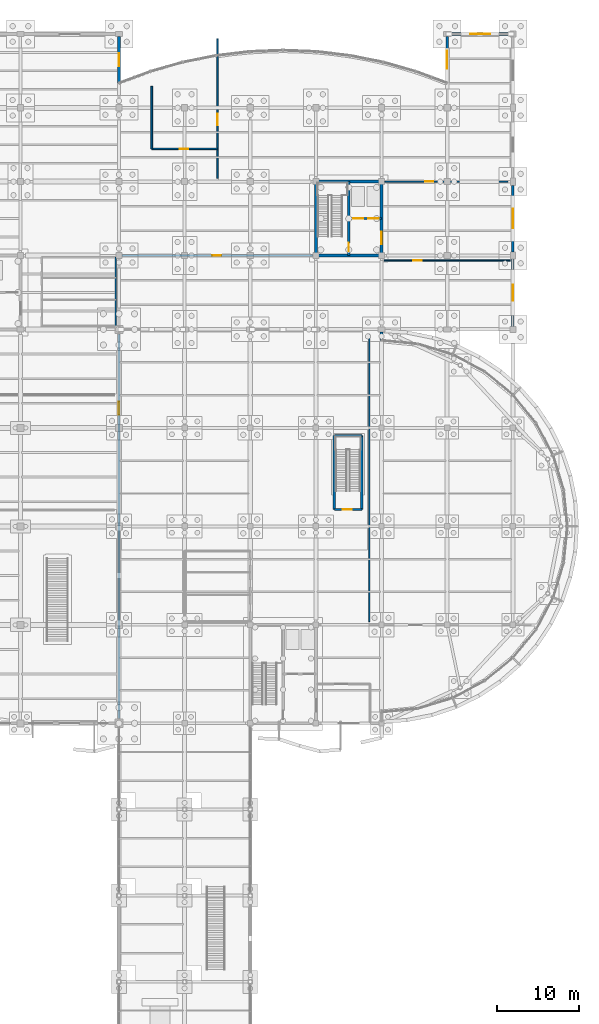
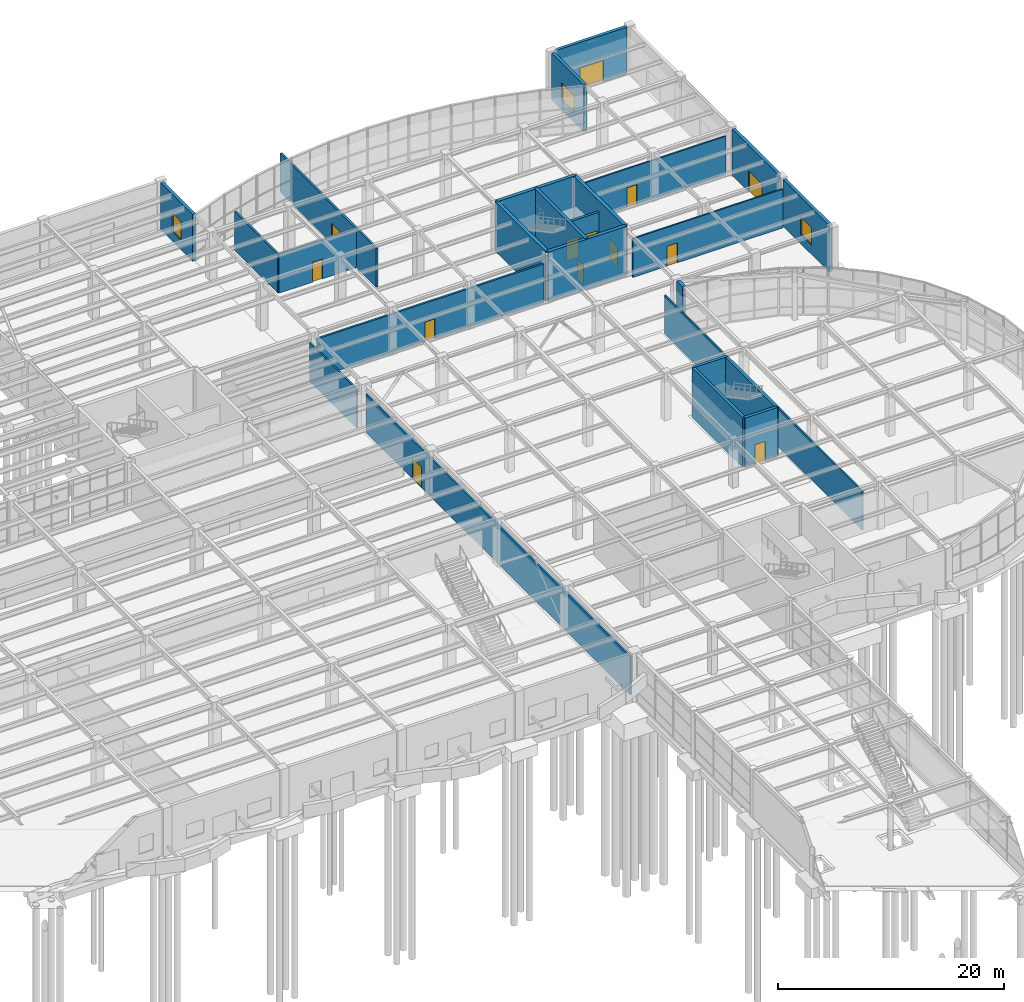
# One storey, part 69 of 85: 25 walls, 13 doors, 3 windows, 16 openings.
"""IFC4 building model written with IfcOpenShell, lengths in metres."""

from ifc_helpers import new_model, si_unit, direction, frame, frame_2d, origin, place, context, subcontext, project, spatial, rectangle, extrude, material, layer, layer_set, type_object, element, fill, save


model = new_model("IFC4")

# Units and contexts
model_context = context("Model", 3, precision=1e-05, world=origin(), true_north=direction((0.0, 1.0)))
body_context = subcontext(model_context, "Body", "Model", "MODEL_VIEW")
ifc_project = project(units=[si_unit("LENGTHUNIT", "METRE"), si_unit("AREAUNIT", "SQUARE_METRE"), si_unit("VOLUMEUNIT", "CUBIC_METRE"), si_unit("PLANEANGLEUNIT", "RADIAN"), si_unit("MASSUNIT", "GRAM", prefix="KILO")], contexts=[model_context])

# Site, building, storey
site_placement = place(None, origin())
site = spatial("IfcSite", under=ifc_project, at=site_placement, CompositionType="ELEMENT")
building_placement = place(site_placement, origin())
building = spatial("IfcBuilding", under=site, at=building_placement, Name="Keelwater Ferry Terminal", CompositionType="ELEMENT")
storey_placement = place(building_placement, origin())
storey = spatial("IfcBuildingStorey", under=building, at=storey_placement, Name="L00", CompositionType="ELEMENT", Elevation=0.0)

# Wall
ifc_material_1 = material(Name="Precast concrete C40/50", Category="concrete")
ifc_layer_1 = layer(ifc_material_1, 0.340087890625)
ifc_layer_set_1 = layer_set([ifc_layer_1], Name="Precast concrete C40/50")
wall_type_1 = type_object("IfcWallType", Name="EW-LM340 External Solid Wall 340", PredefinedType="SOLIDWALL", material=ifc_layer_set_1)
wall_1_placement = place(storey_placement, frame((164.0, 88.64990234375, 0.0), z_axis=(0.0, 0.0, 1.0), x_axis=(0.0, 1.0, 0.0)))
element("IfcWall", 1, at=wall_1_placement, inside=storey, type_object=wall_type_1, Name="External Wall WL-L00-0020", PredefinedType="SOLIDWALL", context=body_context, shape_type="SweptSolid", body=[
    extrude(rectangle(XDim=1.050048828125, YDim=0.340087890625, at=frame_2d((0.52490234375, 0.0))), origin(), (0.0, 0.0, 1.0), 5.06005859375),
])

# Wall, opening, door
ifc_material_2 = material(Name="Precast concrete C40/50", Category="concrete")
ifc_layer_2 = layer(ifc_material_2, 0.320068359375)
ifc_layer_set_2 = layer_set([ifc_layer_2], Name="Precast concrete C40/50")
wall_type_2 = type_object("IfcWallType", Name="EW-TC320 External Solid Wall 320", PredefinedType="SOLIDWALL", material=ifc_layer_set_2)
wall_2_placement = place(storey_placement, frame((172.449951171875, 126.0, 0.0), z_axis=(0.0, 0.0, 1.0), x_axis=(1.0, 0.0, 0.0)))
wall_2 = element("IfcWall", 2, at=wall_2_placement, inside=storey, type_object=wall_type_2, Name="External Wall WL-L00-0053", PredefinedType="SOLIDWALL", context=body_context, shape_type="SweptSolid", body=[
    extrude(rectangle(XDim=7.175048828125, YDim=0.320068359375, at=frame_2d((3.58740234375, 0.0))), origin(), (0.0, 0.0, 1.0), 5.06005859375),
])
opening_1_placement = place(wall_2_placement, frame((2.387939453125, 0.0, 0.0)))
opening_1 = element("IfcOpeningElement", 3, at=opening_1_placement, cuts=wall_2, Name="Opening ED-17", PredefinedType="OPENING", context=body_context, shape_type="SweptSolid", body=[
    extrude(rectangle(XDim=2.39990234375, YDim=2.300048828125, at=frame_2d((1.199951171875, 1.14990234375))), frame((0.0, 0.170166015625, 0.0), z_axis=(0.0, -1.0, 0.0), x_axis=(1.0, 0.0, 0.0)), (0.0, 0.0, 1.0), 0.340087890625),
])
ifc_material_3 = material(Name="Anodised aluminium and laminated safety glass", Category="aluminium")
door_type_1 = type_object("IfcDoorType", Name="ED-T1 Pedestrian Door 2400x2300", OperationType="DOUBLE_DOOR_SINGLE_SWING", PredefinedType="DOOR", material=ifc_material_3)
door_1_placement = place(opening_1_placement, origin())
door_1 = element("IfcDoor", 4, at=door_1_placement, inside=storey, type_object=door_type_1, Name="Door ED-17", OperationType="DOUBLE_DOOR_SINGLE_SWING", OverallHeight=2.300048828125, OverallWidth=2.39990234375, PredefinedType="DOOR", context=body_context, shape_type="SweptSolid", body=[
    extrude(rectangle(XDim=2.39990234375, YDim=2.300048828125, at=frame_2d((1.199951171875, 1.14990234375))), frame((0.0, 0.02490234375, 0.0), z_axis=(0.0, -1.0, 0.0), x_axis=(1.0, 0.0, 0.0)), (0.0, 0.0, 1.0), 0.050048828125),
])
fill(opening_1, door_1)

# Wall, opening, window
wall_3_placement = place(storey_placement, frame((132.0, 125.699951171875, 0.0), z_axis=(0.0, 0.0, 1.0), x_axis=(0.0, -1.0, 0.0)))
wall_3 = element("IfcWall", 5, at=wall_3_placement, inside=storey, type_object=wall_type_2, Name="External Wall WL-L00-0054", PredefinedType="SOLIDWALL", context=body_context, shape_type="SweptSolid", body=[
    extrude(rectangle(XDim=5.699951171875, YDim=0.320068359375, at=frame_2d((2.85009765625, 0.0))), origin(), (0.0, 0.0, 1.0), 5.06005859375),
])
opening_2_placement = place(wall_3_placement, frame((2.050048828125, 0.0, 1.0)))
opening_2 = element("IfcOpeningElement", 6, at=opening_2_placement, cuts=wall_3, Name="Opening WN-22", PredefinedType="OPENING", context=body_context, shape_type="SweptSolid", body=[
    extrude(rectangle(XDim=1.60009765625, YDim=2.0, at=frame_2d((0.800048828125, 1.0))), frame((0.0, 0.170166015625, 0.0), z_axis=(0.0, -1.0, 0.0), x_axis=(1.0, 0.0, 0.0)), (0.0, 0.0, 1.0), 0.340087890625),
])
ifc_material_4 = material(Name="Triple low-E glass in thermally broken aluminium frame", Category="aluminium")
window_type_1 = type_object("IfcWindowType", Name="WN-22 Exterior Window 1600x2000", PartitioningType="SINGLE_PANEL", PredefinedType="WINDOW", material=ifc_material_4)
window_1_placement = place(opening_2_placement, origin())
window_1 = element("IfcWindow", 7, at=window_1_placement, inside=storey, type_object=window_type_1, Name="Window WN-L00-0022", OverallHeight=2.0, OverallWidth=1.60009765625, PartitioningType="SINGLE_PANEL", PredefinedType="WINDOW", context=body_context, shape_type="SweptSolid", body=[
    extrude(rectangle(XDim=1.60009765625, YDim=2.0, at=frame_2d((0.800048828125, 1.0))), frame((0.0, 0.030029296875, 0.0), z_axis=(0.0, -1.0, 0.0), x_axis=(1.0, 0.0, 0.0)), (0.0, 0.0, 1.0), 0.06005859375),
])
fill(opening_2, window_1)

wall_4_placement = place(storey_placement, frame((172.0, 120.0, 0.0), z_axis=(0.0, 0.0, 1.0), x_axis=(0.0, 1.0, 0.0)))
wall_4 = element("IfcWall", 8, at=wall_4_placement, inside=storey, type_object=wall_type_2, Name="External Wall WL-L00-0055", PredefinedType="SOLIDWALL", context=body_context, shape_type="SweptSolid", body=[
    extrude(rectangle(XDim=5.699951171875, YDim=0.320068359375, at=frame_2d((2.85009765625, 0.0))), origin(), (0.0, 0.0, 1.0), 5.06005859375),
])
opening_3_placement = place(wall_4_placement, frame((1.75, 0.0, 1.0)))
opening_3 = element("IfcOpeningElement", 9, at=opening_3_placement, cuts=wall_4, Name="Opening WN-23", PredefinedType="OPENING", context=body_context, shape_type="SweptSolid", body=[
    extrude(rectangle(XDim=2.199951171875, YDim=1.89990234375, at=frame_2d((1.10009765625, 0.949951171875))), frame((0.0, 0.170166015625, 0.0), z_axis=(0.0, -1.0, 0.0), x_axis=(1.0, 0.0, 0.0)), (0.0, 0.0, 1.0), 0.340087890625),
])
ifc_material_5 = material(Name="Triple low-E glass in thermally broken aluminium frame", Category="aluminium")
window_type_2 = type_object("IfcWindowType", Name="WN-23 Exterior Window 2200x1900", PartitioningType="SINGLE_PANEL", PredefinedType="WINDOW", material=ifc_material_5)
window_2_placement = place(opening_3_placement, origin())
window_2 = element("IfcWindow", 10, at=window_2_placement, inside=storey, type_object=window_type_2, Name="Window WN-L00-0023", OverallHeight=1.89990234375, OverallWidth=2.199951171875, PartitioningType="SINGLE_PANEL", PredefinedType="WINDOW", context=body_context, shape_type="SweptSolid", body=[
    extrude(rectangle(XDim=2.199951171875, YDim=1.89990234375, at=frame_2d((1.10009765625, 0.949951171875))), frame((0.0, 0.030029296875, 0.0), z_axis=(0.0, -1.0, 0.0), x_axis=(1.0, 0.0, 0.0)), (0.0, 0.0, 1.0), 0.06005859375),
])
fill(opening_3, window_2)

wall_5_placement = place(storey_placement, frame((180.0, 90.375, 0.0), z_axis=(0.0, 0.0, 1.0), x_axis=(0.0, 1.0, 0.0)))
wall_5 = element("IfcWall", 11, at=wall_5_placement, inside=storey, type_object=wall_type_2, Name="External Wall WL-L00-0056", PredefinedType="SOLIDWALL", context=body_context, shape_type="SweptSolid", body=[
    extrude(rectangle(XDim=8.175048828125, YDim=0.320068359375, at=frame_2d((4.08740234375, 0.0))), origin(), (0.0, 0.0, 1.0), 5.06005859375),
])
opening_4_placement = place(wall_5_placement, frame((3.136962890625, 0.0, 1.0)))
opening_4 = element("IfcOpeningElement", 12, at=opening_4_placement, cuts=wall_5, Name="Opening WN-24", PredefinedType="OPENING", context=body_context, shape_type="SweptSolid", body=[
    extrude(rectangle(XDim=1.89990234375, YDim=1.89990234375, at=frame_2d((0.949951171875, 0.949951171875))), frame((0.0, 0.170166015625, 0.0), z_axis=(0.0, -1.0, 0.0), x_axis=(1.0, 0.0, 0.0)), (0.0, 0.0, 1.0), 0.340087890625),
])
ifc_material_6 = material(Name="Triple low-E glass in thermally broken aluminium frame", Category="aluminium")
window_type_3 = type_object("IfcWindowType", Name="WN-24 Exterior Window 1900x1900", PartitioningType="SINGLE_PANEL", PredefinedType="WINDOW", material=ifc_material_6)
window_3_placement = place(opening_4_placement, origin())
window_3 = element("IfcWindow", 13, at=window_3_placement, inside=storey, type_object=window_type_3, Name="Window WN-L00-0024", OverallHeight=1.89990234375, OverallWidth=1.89990234375, PartitioningType="SINGLE_PANEL", PredefinedType="WINDOW", context=body_context, shape_type="SweptSolid", body=[
    extrude(rectangle(XDim=1.89990234375, YDim=1.89990234375, at=frame_2d((0.949951171875, 0.949951171875))), frame((0.0, 0.030029296875, 0.0), z_axis=(0.0, -1.0, 0.0), x_axis=(1.0, 0.0, 0.0)), (0.0, 0.0, 1.0), 0.06005859375),
])
fill(opening_4, window_3)

# Wall, opening, door
wall_6_placement = place(storey_placement, frame((180.0, 107.550048828125, 0.0), z_axis=(0.0, 0.0, 1.0), x_axis=(0.0, -1.0, 0.0)))
wall_6 = element("IfcWall", 14, at=wall_6_placement, inside=storey, type_object=wall_type_2, Name="External Wall WL-L00-0057", PredefinedType="SOLIDWALL", context=body_context, shape_type="SweptSolid", body=[
    extrude(rectangle(XDim=8.10009765625, YDim=0.320068359375, at=frame_2d((4.050048828125, 0.0))), origin(), (0.0, 0.0, 1.0), 5.06005859375),
])
opening_5_placement = place(wall_6_placement, frame((2.85009765625, 0.0, 0.0)))
opening_5 = element("IfcOpeningElement", 15, at=opening_5_placement, cuts=wall_6, Name="Opening ED-18", PredefinedType="OPENING", context=body_context, shape_type="SweptSolid", body=[
    extrude(rectangle(XDim=2.39990234375, YDim=2.300048828125, at=frame_2d((1.199951171875, 1.14990234375))), frame((0.0, 0.170166015625, 0.0), z_axis=(0.0, -1.0, 0.0), x_axis=(1.0, 0.0, 0.0)), (0.0, 0.0, 1.0), 0.340087890625),
])
door_2_placement = place(opening_5_placement, origin())
door_2 = element("IfcDoor", 16, at=door_2_placement, inside=storey, type_object=door_type_1, Name="Door ED-18", OperationType="DOUBLE_DOOR_SINGLE_SWING", OverallHeight=2.300048828125, OverallWidth=2.39990234375, PredefinedType="DOOR", context=body_context, shape_type="SweptSolid", body=[
    extrude(rectangle(XDim=2.39990234375, YDim=2.300048828125, at=frame_2d((1.199951171875, 1.14990234375))), frame((0.0, 0.02490234375, 0.0), z_axis=(0.0, -1.0, 0.0), x_axis=(1.0, 0.0, 0.0)), (0.0, 0.0, 1.0), 0.050048828125),
])
fill(opening_5, door_2)

ifc_material_7 = material(Name="Concrete C40/50", Category="concrete")
ifc_layer_3 = layer(ifc_material_7, 0.199951171875)
ifc_layer_set_3 = layer_set([ifc_layer_3], Name="Concrete C40/50")
wall_type_3 = type_object("IfcWallType", Name="IW-200 Solid Wall 200", PredefinedType="SOLIDWALL", material=ifc_layer_set_3)
wall_7_placement = place(storey_placement, frame((132.0, 42.60009765625, 0.0), z_axis=(0.0, 0.0, 1.0), x_axis=(0.0, 1.0, 0.0)))
wall_7 = element("IfcWall", 17, at=wall_7_placement, inside=storey, type_object=wall_type_3, Name="Interior Wall WL-INT-L00-0232", PredefinedType="SOLIDWALL", context=body_context, shape_type="SweptSolid", body=[
    extrude(rectangle(XDim=46.7998046875, YDim=0.199951171875, at=frame_2d((23.39990234375, 0.0))), origin(), (0.0, 0.0, 1.0), 4.199951171875),
])
opening_6_placement = place(wall_7_placement, frame((37.0, 0.0, 0.0)))
opening_6 = element("IfcOpeningElement", 18, at=opening_6_placement, cuts=wall_7, Name="Opening DR-011", PredefinedType="OPENING", context=body_context, shape_type="SweptSolid", body=[
    extrude(rectangle(XDim=1.60009765625, YDim=2.199951171875, at=frame_2d((0.800048828125, 1.10009765625))), frame((0.0, 0.110107421875, 0.0), z_axis=(0.0, -1.0, 0.0), x_axis=(1.0, 0.0, 0.0)), (0.0, 0.0, 1.0), 0.219970703125),
])
ifc_material_8 = material(Name="Acoustic oak and fire-rated steel frame door", Category="steel")
door_type_2 = type_object("IfcDoorType", Name="ID-01 Pedestrian Door 1600x2200", OperationType="DOUBLE_DOOR_SINGLE_SWING", PredefinedType="DOOR", material=ifc_material_8)
door_3_placement = place(opening_6_placement, origin())
door_3 = element("IfcDoor", 19, at=door_3_placement, inside=storey, type_object=door_type_2, Name="Door DR-011", OperationType="DOUBLE_DOOR_SINGLE_SWING", OverallHeight=2.199951171875, OverallWidth=1.60009765625, PredefinedType="DOOR", context=body_context, shape_type="SweptSolid", body=[
    extrude(rectangle(XDim=1.60009765625, YDim=2.199951171875, at=frame_2d((0.800048828125, 1.10009765625))), frame((0.0, 0.02490234375, 0.0), z_axis=(0.0, -1.0, 0.0), x_axis=(1.0, 0.0, 0.0)), (0.0, 0.0, 1.0), 0.050048828125),
])
fill(opening_6, door_3)

wall_8_placement = place(storey_placement, frame((136.0, 112.0, 0.0), z_axis=(0.0, 0.0, 1.0), x_axis=(1.0, 0.0, 0.0)))
wall_8 = element("IfcWall", 20, at=wall_8_placement, inside=storey, type_object=wall_type_3, Name="Interior Wall WL-INT-L00-0235", PredefinedType="SOLIDWALL", context=body_context, shape_type="SweptSolid", body=[
    extrude(rectangle(XDim=8.0, YDim=0.199951171875, at=frame_2d((4.0, 0.0))), origin(), (0.0, 0.0, 1.0), 4.199951171875),
])
opening_7_placement = place(wall_8_placement, frame((3.39990234375, 0.0, 0.0)))
opening_7 = element("IfcOpeningElement", 21, at=opening_7_placement, cuts=wall_8, Name="Opening DR-014", PredefinedType="OPENING", context=body_context, shape_type="SweptSolid", body=[
    extrude(rectangle(XDim=1.050048828125, YDim=2.14990234375, at=frame_2d((0.52490234375, 1.074951171875))), frame((0.0, 0.110107421875, 0.0), z_axis=(0.0, -1.0, 0.0), x_axis=(1.0, 0.0, 0.0)), (0.0, 0.0, 1.0), 0.219970703125),
])
ifc_material_9 = material(Name="Acoustic oak and fire-rated steel frame door", Category="steel")
door_type_3 = type_object("IfcDoorType", Name="ID-06 Pedestrian Door 1050x2150", OperationType="NOTDEFINED", PredefinedType="DOOR", material=ifc_material_9)
door_4_placement = place(opening_7_placement, origin())
door_4 = element("IfcDoor", 22, at=door_4_placement, inside=storey, type_object=door_type_3, Name="Door DR-014", OperationType="SINGLE_SWING_LEFT", OverallHeight=2.14990234375, OverallWidth=1.050048828125, PredefinedType="DOOR", context=body_context, shape_type="SweptSolid", body=[
    extrude(rectangle(XDim=1.050048828125, YDim=2.14990234375, at=frame_2d((0.52490234375, 1.074951171875))), frame((0.0, 0.02490234375, 0.0), z_axis=(0.0, -1.0, 0.0), x_axis=(1.0, 0.0, 0.0)), (0.0, 0.0, 1.0), 0.050048828125),
])
fill(opening_7, door_4)

# Wall
wall_9_placement = place(storey_placement, frame((136.0, 112.0, 0.0), z_axis=(0.0, 0.0, 1.0), x_axis=(0.0, 1.0, 0.0)))
element("IfcWall", 23, at=wall_9_placement, inside=storey, type_object=wall_type_3, Name="Interior Wall WL-INT-L00-0236", PredefinedType="SOLIDWALL", context=body_context, shape_type="SweptSolid", body=[
    extrude(rectangle(XDim=7.60009765625, YDim=0.199951171875, at=frame_2d((3.800048828125, 0.0))), origin(), (0.0, 0.0, 1.0), 4.199951171875),
])

# Wall, opening, door
wall_10_placement = place(storey_placement, frame((144.0, 108.39990234375, 0.0), z_axis=(0.0, 0.0, 1.0), x_axis=(0.0, 1.0, 0.0)))
wall_10 = element("IfcWall", 24, at=wall_10_placement, inside=storey, type_object=wall_type_3, Name="Interior Wall WL-INT-L00-0237", PredefinedType="SOLIDWALL", context=body_context, shape_type="SweptSolid", body=[
    extrude(rectangle(XDim=17.0, YDim=0.199951171875, at=frame_2d((8.5, 0.0))), origin(), (0.0, 0.0, 1.0), 4.199951171875),
])
opening_8_placement = place(wall_10_placement, frame((6.5, 0.0, 0.0)))
opening_8 = element("IfcOpeningElement", 25, at=opening_8_placement, cuts=wall_10, Name="Opening DR-015", PredefinedType="OPENING", context=body_context, shape_type="SweptSolid", body=[
    extrude(rectangle(XDim=1.39990234375, YDim=2.14990234375, at=frame_2d((0.699951171875, 1.074951171875))), frame((0.0, 0.110107421875, 0.0), z_axis=(0.0, -1.0, 0.0), x_axis=(1.0, 0.0, 0.0)), (0.0, 0.0, 1.0), 0.219970703125),
])
ifc_material_10 = material(Name="Acoustic oak and fire-rated steel frame door", Category="steel")
door_type_4 = type_object("IfcDoorType", Name="ID-03 Pedestrian Door 1400x2150", OperationType="DOUBLE_DOOR_SINGLE_SWING", PredefinedType="DOOR", material=ifc_material_10)
door_5_placement = place(opening_8_placement, origin())
door_5 = element("IfcDoor", 26, at=door_5_placement, inside=storey, type_object=door_type_4, Name="Door DR-015", OperationType="DOUBLE_DOOR_SINGLE_SWING", OverallHeight=2.14990234375, OverallWidth=1.39990234375, PredefinedType="DOOR", context=body_context, shape_type="SweptSolid", body=[
    extrude(rectangle(XDim=1.39990234375, YDim=2.14990234375, at=frame_2d((0.699951171875, 1.074951171875))), frame((0.0, 0.02490234375, 0.0), z_axis=(0.0, -1.0, 0.0), x_axis=(1.0, 0.0, 0.0)), (0.0, 0.0, 1.0), 0.050048828125),
])
fill(opening_8, door_5)

wall_11_placement = place(storey_placement, frame((132.39990234375, 99.0, 0.0), z_axis=(0.0, 0.0, 1.0), x_axis=(1.0, 0.0, 0.0)))
wall_11 = element("IfcWall", 27, at=wall_11_placement, inside=storey, type_object=wall_type_3, Name="Interior Wall WL-INT-L00-0238", PredefinedType="SOLIDWALL", context=body_context, shape_type="SweptSolid", body=[
    extrude(rectangle(XDim=23.2001953125, YDim=0.199951171875, at=frame_2d((11.60009765625, 0.0))), origin(), (0.0, 0.0, 1.0), 4.199951171875),
])
opening_9_placement = place(wall_11_placement, frame((11.0, 0.0, 0.0)))
opening_9 = element("IfcOpeningElement", 28, at=opening_9_placement, cuts=wall_11, Name="Opening DR-016", PredefinedType="OPENING", context=body_context, shape_type="SweptSolid", body=[
    extrude(rectangle(XDim=1.050048828125, YDim=2.14990234375, at=frame_2d((0.52490234375, 1.074951171875))), frame((0.0, 0.110107421875, 0.0), z_axis=(0.0, -1.0, 0.0), x_axis=(1.0, 0.0, 0.0)), (0.0, 0.0, 1.0), 0.219970703125),
])
door_6_placement = place(opening_9_placement, origin())
door_6 = element("IfcDoor", 29, at=door_6_placement, inside=storey, type_object=door_type_3, Name="Door DR-016", OperationType="SINGLE_SWING_RIGHT", OverallHeight=2.14990234375, OverallWidth=1.050048828125, PredefinedType="DOOR", context=body_context, shape_type="SweptSolid", body=[
    extrude(rectangle(XDim=1.050048828125, YDim=2.14990234375, at=frame_2d((0.52490234375, 1.074951171875))), frame((0.0, 0.02490234375, 0.0), z_axis=(0.0, -1.0, 0.0), x_axis=(1.0, 0.0, 0.0)), (0.0, 0.0, 1.0), 0.050048828125),
])
fill(opening_9, door_6)

# Wall, openings, doors
ifc_material_11 = material(Name="Concrete C40/50", Category="concrete")
ifc_layer_4 = layer(ifc_material_11, 0.25)
ifc_layer_set_4 = layer_set([ifc_layer_4], Name="Concrete C40/50")
wall_type_4 = type_object("IfcWallType", Name="IW-250 Solid Wall 250", PredefinedType="SOLIDWALL", material=ifc_layer_set_4)
wall_12_placement = place(storey_placement, frame((164.0, 103.5, 0.0), z_axis=(0.0, 0.0, 1.0), x_axis=(-1.0, 0.0, 0.0)))
wall_12 = element("IfcWall", 30, at=wall_12_placement, inside=storey, type_object=wall_type_4, Name="Interior Wall WL-INT-L00-0060", PredefinedType="SOLIDWALL", context=body_context, shape_type="SweptSolid", body=[
    extrude(rectangle(XDim=4.0, YDim=0.25, at=frame_2d((2.0, 0.0))), origin(), (0.0, 0.0, 1.0), 4.199951171875),
])
opening_10_placement = place(wall_12_placement, frame((0.35009765625, 0.0, 0.0)))
opening_10 = element("IfcOpeningElement", 31, at=opening_10_placement, cuts=wall_12, Name="Opening LD-019", PredefinedType="OPENING", context=body_context, shape_type="SweptSolid", body=[
    extrude(rectangle(XDim=1.300048828125, YDim=2.25, at=frame_2d((0.64990234375, 1.125))), frame((0.0, 0.135009765625, 0.0), z_axis=(0.0, -1.0, 0.0), x_axis=(1.0, 0.0, 0.0)), (0.0, 0.0, 1.0), 0.27001953125),
])
opening_11_placement = place(wall_12_placement, frame((2.25, 0.0, 0.0)))
opening_11 = element("IfcOpeningElement", 32, at=opening_11_placement, cuts=wall_12, Name="Opening LD-020", PredefinedType="OPENING", context=body_context, shape_type="SweptSolid", body=[
    extrude(rectangle(XDim=1.199951171875, YDim=2.199951171875, at=frame_2d((0.60009765625, 1.10009765625))), frame((0.0, 0.135009765625, 0.0), z_axis=(0.0, -1.0, 0.0), x_axis=(1.0, 0.0, 0.0)), (0.0, 0.0, 1.0), 0.27001953125),
])
ifc_material_12 = material(Name="Stainless steel sliding landing doors", Category="steel")
door_type_5 = type_object("IfcDoorType", Name="LD-T2 Lift Landing Door 1200x2200", OperationType="DOUBLE_DOOR_SLIDING", PredefinedType="USERDEFINED", material=ifc_material_12)
door_7_placement = place(opening_11_placement, origin())
door_7 = element("IfcDoor", 33, at=door_7_placement, inside=storey, type_object=door_type_5, Name="Door LD-020", ObjectType="LANDING DOOR", OperationType="DOUBLE_DOOR_SLIDING", OverallHeight=2.199951171875, OverallWidth=1.199951171875, PredefinedType="USERDEFINED", context=body_context, shape_type="SweptSolid", body=[
    extrude(rectangle(XDim=1.199951171875, YDim=2.199951171875, at=frame_2d((0.60009765625, 1.10009765625))), frame((0.0, 0.02490234375, 0.0), z_axis=(0.0, -1.0, 0.0), x_axis=(1.0, 0.0, 0.0)), (0.0, 0.0, 1.0), 0.050048828125),
])
fill(opening_11, door_7)
ifc_material_13 = material(Name="Stainless steel sliding landing doors", Category="steel")
door_type_6 = type_object("IfcDoorType", Name="LD-T3 Lift Landing Door 1300x2250", OperationType="DOUBLE_DOOR_SLIDING", PredefinedType="USERDEFINED", material=ifc_material_13)
door_8_placement = place(opening_10_placement, origin())
door_8 = element("IfcDoor", 34, at=door_8_placement, inside=storey, type_object=door_type_6, Name="Door LD-019", ObjectType="LANDING DOOR", OperationType="DOUBLE_DOOR_SLIDING", OverallHeight=2.25, OverallWidth=1.300048828125, PredefinedType="USERDEFINED", context=body_context, shape_type="SweptSolid", body=[
    extrude(rectangle(XDim=1.300048828125, YDim=2.25, at=frame_2d((0.64990234375, 1.125))), frame((0.0, 0.02490234375, 0.0), z_axis=(0.0, -1.0, 0.0), x_axis=(1.0, 0.0, 0.0)), (0.0, 0.0, 1.0), 0.050048828125),
])
fill(opening_10, door_8)

# Walls
ifc_material_14 = material(Name="Gypsum board on acoustic steel stud", Category="steel")
ifc_layer_5 = layer(ifc_material_14, 0.14990234375)
ifc_layer_set_5 = layer_set([ifc_layer_5], Name="Gypsum board on acoustic steel stud")
wall_type_5 = type_object("IfcWallType", Name="PT-150 Partition Wall 150", PredefinedType="PARTITIONING", material=ifc_layer_set_5)
wall_13_placement = place(storey_placement, frame((131.60009765625, 90.39990234375, 0.0), z_axis=(0.0, 0.0, 1.0), x_axis=(0.0, 1.0, 0.0)))
element("IfcWall", 35, at=wall_13_placement, inside=storey, type_object=wall_type_5, Name="Interior Wall WL-INT-L00-0167", PredefinedType="PARTITIONING", context=body_context, shape_type="SweptSolid", body=[
    extrude(rectangle(XDim=8.400146484375, YDim=0.14990234375, at=frame_2d((4.2001953125, 0.0))), origin(), (0.0, 0.0, 1.0), 4.199951171875),
])
wall_14_placement = place(storey_placement, frame((162.5, 54.39990234375, 0.0), z_axis=(0.0, 0.0, 1.0), x_axis=(0.0, 1.0, 0.0)))
element("IfcWall", 36, at=wall_14_placement, inside=storey, type_object=wall_type_5, Name="Interior Wall WL-INT-L00-0233", PredefinedType="PARTITIONING", context=body_context, shape_type="SweptSolid", body=[
    extrude(rectangle(XDim=35.0, YDim=0.14990234375, at=frame_2d((17.5, 0.0))), origin(), (0.0, 0.0, 1.0), 4.199951171875),
])

# Wall, opening, door
wall_15_placement = place(storey_placement, frame((164.39990234375, 108.0, 0.0), z_axis=(0.0, 0.0, 1.0), x_axis=(1.0, 0.0, 0.0)))
wall_15 = element("IfcWall", 37, at=wall_15_placement, inside=storey, type_object=wall_type_5, Name="Interior Wall WL-INT-L00-0239", PredefinedType="PARTITIONING", context=body_context, shape_type="SweptSolid", body=[
    extrude(rectangle(XDim=15.0, YDim=0.14990234375, at=frame_2d((7.5, 0.0))), origin(), (0.0, 0.0, 1.0), 4.199951171875),
])
opening_12_placement = place(wall_15_placement, frame((4.89990234375, 0.0, 0.0)))
opening_12 = element("IfcOpeningElement", 38, at=opening_12_placement, cuts=wall_15, Name="Opening DR-017", PredefinedType="OPENING", context=body_context, shape_type="SweptSolid", body=[
    extrude(rectangle(XDim=1.0, YDim=2.14990234375, at=frame_2d((0.5, 1.074951171875))), frame((0.0, 0.0849609375, 0.0), z_axis=(0.0, -1.0, 0.0), x_axis=(1.0, 0.0, 0.0)), (0.0, 0.0, 1.0), 0.169921875),
])
ifc_material_15 = material(Name="Acoustic oak and fire-rated steel frame door", Category="steel")
door_type_7 = type_object("IfcDoorType", Name="ID-07 Pedestrian Door 1000x2150", OperationType="NOTDEFINED", PredefinedType="DOOR", material=ifc_material_15)
door_9_placement = place(opening_12_placement, origin())
door_9 = element("IfcDoor", 39, at=door_9_placement, inside=storey, type_object=door_type_7, Name="Door DR-017", OperationType="SINGLE_SWING_LEFT", OverallHeight=2.14990234375, OverallWidth=1.0, PredefinedType="DOOR", context=body_context, shape_type="SweptSolid", body=[
    extrude(rectangle(XDim=1.0, YDim=2.14990234375, at=frame_2d((0.5, 1.074951171875))), frame((0.0, 0.02490234375, 0.0), z_axis=(0.0, -1.0, 0.0), x_axis=(1.0, 0.0, 0.0)), (0.0, 0.0, 1.0), 0.050048828125),
])
fill(opening_12, door_9)

wall_16_placement = place(storey_placement, frame((164.35009765625, 98.39990234375, 0.0), z_axis=(0.0, 0.0, 1.0), x_axis=(1.0, 0.0, 0.0)))
wall_16 = element("IfcWall", 40, at=wall_16_placement, inside=storey, type_object=wall_type_5, Name="Interior Wall WL-INT-L00-0240", PredefinedType="PARTITIONING", context=body_context, shape_type="SweptSolid", body=[
    extrude(rectangle(XDim=15.349853515625, YDim=0.14990234375, at=frame_2d((7.6748046875, 0.0))), origin(), (0.0, 0.0, 1.0), 4.199951171875),
])
opening_13_placement = place(wall_16_placement, frame((3.5, 0.0, 0.0)))
opening_13 = element("IfcOpeningElement", 41, at=opening_13_placement, cuts=wall_16, Name="Opening DR-018", PredefinedType="OPENING", context=body_context, shape_type="SweptSolid", body=[
    extrude(rectangle(XDim=1.050048828125, YDim=2.14990234375, at=frame_2d((0.52490234375, 1.074951171875))), frame((0.0, 0.0849609375, 0.0), z_axis=(0.0, -1.0, 0.0), x_axis=(1.0, 0.0, 0.0)), (0.0, 0.0, 1.0), 0.169921875),
])
door_10_placement = place(opening_13_placement, origin())
door_10 = element("IfcDoor", 42, at=door_10_placement, inside=storey, type_object=door_type_3, Name="Door DR-018", OperationType="SINGLE_SWING_RIGHT", OverallHeight=2.14990234375, OverallWidth=1.050048828125, PredefinedType="DOOR", context=body_context, shape_type="SweptSolid", body=[
    extrude(rectangle(XDim=1.050048828125, YDim=2.14990234375, at=frame_2d((0.52490234375, 1.074951171875))), frame((0.0, 0.02490234375, 0.0), z_axis=(0.0, -1.0, 0.0), x_axis=(1.0, 0.0, 0.0)), (0.0, 0.0, 1.0), 0.050048828125),
])
fill(opening_13, door_10)

ifc_material_16 = material(Name="Concrete C45/55", Category="concrete")
ifc_layer_6 = layer(ifc_material_16, 0.300048828125)
ifc_layer_set_6 = layer_set([ifc_layer_6], Name="Concrete C45/55")
wall_type_6 = type_object("IfcWallType", Name="SW-300 Shear Wall 300", PredefinedType="SHEAR", material=ifc_layer_set_6)
wall_17_placement = place(storey_placement, frame((160.0, 108.0, 0.0), z_axis=(0.0, 0.0, 1.0), x_axis=(0.0, -1.0, 0.0)))
wall_17 = element("IfcWall", 43, at=wall_17_placement, inside=storey, type_object=wall_type_6, Name="Interior Wall WL-INT-L00-0059", PredefinedType="SHEAR", context=body_context, shape_type="SweptSolid", body=[
    extrude(rectangle(XDim=9.0, YDim=0.300048828125, at=frame_2d((4.5, 0.0))), origin(), (0.0, 0.0, 1.0), 5.3798828125),
])
opening_14_placement = place(wall_17_placement, frame((7.449951171875, 0.0, 0.0)))
opening_14 = element("IfcOpeningElement", 44, at=opening_14_placement, cuts=wall_17, Name="Opening FD-019", PredefinedType="OPENING", context=body_context, shape_type="SweptSolid", body=[
    extrude(rectangle(XDim=1.050048828125, YDim=2.14990234375, at=frame_2d((0.52490234375, 1.074951171875))), frame((0.0, 0.159912109375, 0.0), z_axis=(0.0, -1.0, 0.0), x_axis=(1.0, 0.0, 0.0)), (0.0, 0.0, 1.0), 0.320068359375),
])
door_11_placement = place(opening_14_placement, origin())
door_11 = element("IfcDoor", 45, at=door_11_placement, inside=storey, type_object=door_type_3, Name="Door FD-019", OperationType="SINGLE_SWING_LEFT", OverallHeight=2.14990234375, OverallWidth=1.050048828125, PredefinedType="DOOR", context=body_context, shape_type="SweptSolid", body=[
    extrude(rectangle(XDim=1.050048828125, YDim=2.14990234375, at=frame_2d((0.52490234375, 1.074951171875))), frame((0.0, 0.02490234375, 0.0), z_axis=(0.0, -1.0, 0.0), x_axis=(1.0, 0.0, 0.0)), (0.0, 0.0, 1.0), 0.050048828125),
])
fill(opening_14, door_11)

wall_18_placement = place(storey_placement, frame((158.25, 68.050048828125, 0.0), z_axis=(0.0, 0.0, 1.0), x_axis=(1.0, 0.0, 0.0)))
wall_18 = element("IfcWall", 46, at=wall_18_placement, inside=storey, type_object=wall_type_6, Name="Interior Wall WL-INT-L00-0135", PredefinedType="SHEAR", context=body_context, shape_type="SweptSolid", body=[
    extrude(rectangle(XDim=3.35009765625, YDim=0.300048828125, at=frame_2d((1.675048828125, 0.0))), origin(), (0.0, 0.0, 1.0), 5.3798828125),
])
opening_15_placement = place(wall_18_placement, frame((1.050048828125, 0.0, 0.0)))
opening_15 = element("IfcOpeningElement", 47, at=opening_15_placement, cuts=wall_18, Name="Opening FD-042", PredefinedType="OPENING", context=body_context, shape_type="SweptSolid", body=[
    extrude(rectangle(XDim=1.050048828125, YDim=2.14990234375, at=frame_2d((0.52490234375, 1.074951171875))), frame((0.0, 0.159912109375, 0.0), z_axis=(0.0, -1.0, 0.0), x_axis=(1.0, 0.0, 0.0)), (0.0, 0.0, 1.0), 0.320068359375),
])
door_12_placement = place(opening_15_placement, origin())
door_12 = element("IfcDoor", 48, at=door_12_placement, inside=storey, type_object=door_type_3, Name="Door FD-042", OperationType="SINGLE_SWING_LEFT", OverallHeight=2.14990234375, OverallWidth=1.050048828125, PredefinedType="DOOR", context=body_context, shape_type="SweptSolid", body=[
    extrude(rectangle(XDim=1.050048828125, YDim=2.14990234375, at=frame_2d((0.52490234375, 1.074951171875))), frame((0.0, 0.02490234375, 0.0), z_axis=(0.0, -1.0, 0.0), x_axis=(1.0, 0.0, 0.0)), (0.0, 0.0, 1.0), 0.050048828125),
])
fill(opening_15, door_12)

# Walls
wall_19_placement = place(storey_placement, frame((158.25, 77.050048828125, 0.0), z_axis=(0.0, 0.0, 1.0), x_axis=(1.0, 0.0, 0.0)))
element("IfcWall", 49, at=wall_19_placement, inside=storey, type_object=wall_type_6, Name="Interior Wall WL-INT-L00-0136", PredefinedType="SHEAR", context=body_context, shape_type="SweptSolid", body=[
    extrude(rectangle(XDim=3.35009765625, YDim=0.300048828125, at=frame_2d((1.675048828125, 0.0))), origin(), (0.0, 0.0, 1.0), 5.3798828125),
])
for number, where, z_axis, x_axis, name in (
    (50, (158.25, 68.050048828125, 0.0), (0.0, 0.0, 1.0), (0.0, 1.0, 0.0), "Interior Wall WL-INT-L00-0137"),
    (51, (161.60009765625, 68.050048828125, 0.0), (0.0, 0.0, 1.0), (0.0, 1.0, 0.0), "Interior Wall WL-INT-L00-0138"),
):
    element("IfcWall", number, at=place(storey_placement, frame(where, z_axis=z_axis, x_axis=x_axis)), inside=storey, type_object=wall_type_6, Name=name, PredefinedType="SHEAR", context=body_context, shape_type="SweptSolid", body=[
        extrude(rectangle(XDim=9.0, YDim=0.300048828125, at=frame_2d((4.5, 0.0))), origin(), (0.0, 0.0, 1.0), 5.3798828125),
    ])
ifc_material_17 = material(Name="Concrete C45/55", Category="concrete")
ifc_layer_7 = layer(ifc_material_17, 0.35009765625)
ifc_layer_set_7 = layer_set([ifc_layer_7], Name="Concrete C45/55")
wall_type_7 = type_object("IfcWallType", Name="SW-350 Shear Wall 350", PredefinedType="SHEAR", material=ifc_layer_set_7)
for number, where, z_axis, x_axis, name in (
    (52, (156.0, 99.0, 0.0), (0.0, 0.0, 1.0), (1.0, 0.0, 0.0), "Interior Wall WL-INT-L00-0055"),
    (53, (156.0, 108.0, 0.0), (0.0, 0.0, 1.0), (1.0, 0.0, 0.0), "Interior Wall WL-INT-L00-0056"),
):
    element("IfcWall", number, at=place(storey_placement, frame(where, z_axis=z_axis, x_axis=x_axis)), inside=storey, type_object=wall_type_7, Name=name, PredefinedType="SHEAR", context=body_context, shape_type="SweptSolid", body=[
        extrude(rectangle(XDim=8.0, YDim=0.35009765625, at=frame_2d((4.0, 0.0))), origin(), (0.0, 0.0, 1.0), 5.3798828125),
    ])
wall_20_placement = place(storey_placement, frame((156.0, 99.0, 0.0), z_axis=(0.0, 0.0, 1.0), x_axis=(0.0, 1.0, 0.0)))
element("IfcWall", 54, at=wall_20_placement, inside=storey, type_object=wall_type_7, Name="Interior Wall WL-INT-L00-0057", PredefinedType="SHEAR", context=body_context, shape_type="SweptSolid", body=[
    extrude(rectangle(XDim=9.0, YDim=0.35009765625, at=frame_2d((4.5, 0.0))), origin(), (0.0, 0.0, 1.0), 5.3798828125),
])

# Wall, opening, door
wall_21_placement = place(storey_placement, frame((164.0, 99.0, 0.0), z_axis=(0.0, 0.0, 1.0), x_axis=(0.0, 1.0, 0.0)))
wall_21 = element("IfcWall", 55, at=wall_21_placement, inside=storey, type_object=wall_type_7, Name="Interior Wall WL-INT-L00-0058", PredefinedType="SHEAR", context=body_context, shape_type="SweptSolid", body=[
    extrude(rectangle(XDim=9.0, YDim=0.35009765625, at=frame_2d((4.5, 0.0))), origin(), (0.0, 0.0, 1.0), 5.3798828125),
])
opening_16_placement = place(wall_21_placement, frame((1.39990234375, 0.0, 0.0)))
opening_16 = element("IfcOpeningElement", 56, at=opening_16_placement, cuts=wall_21, Name="Opening FD-020", PredefinedType="OPENING", context=body_context, shape_type="SweptSolid", body=[
    extrude(rectangle(XDim=1.5, YDim=2.199951171875, at=frame_2d((0.75, 1.10009765625))), frame((0.0, 0.18505859375, 0.0), z_axis=(0.0, -1.0, 0.0), x_axis=(1.0, 0.0, 0.0)), (0.0, 0.0, 1.0), 0.3701171875),
])
ifc_material_18 = material(Name="Acoustic oak and fire-rated steel frame door", Category="steel")
door_type_8 = type_object("IfcDoorType", Name="ID-02 Pedestrian Door 1500x2200", OperationType="DOUBLE_DOOR_SINGLE_SWING", PredefinedType="DOOR", material=ifc_material_18)
door_13_placement = place(opening_16_placement, origin())
door_13 = element("IfcDoor", 57, at=door_13_placement, inside=storey, type_object=door_type_8, Name="Door FD-020", OperationType="DOUBLE_DOOR_SINGLE_SWING", OverallHeight=2.199951171875, OverallWidth=1.5, PredefinedType="DOOR", context=body_context, shape_type="SweptSolid", body=[
    extrude(rectangle(XDim=1.5, YDim=2.199951171875, at=frame_2d((0.75, 1.10009765625))), frame((0.0, 0.02490234375, 0.0), z_axis=(0.0, -1.0, 0.0), x_axis=(1.0, 0.0, 0.0)), (0.0, 0.0, 1.0), 0.050048828125),
])
fill(opening_16, door_13)

save(model, "model.ifc")
